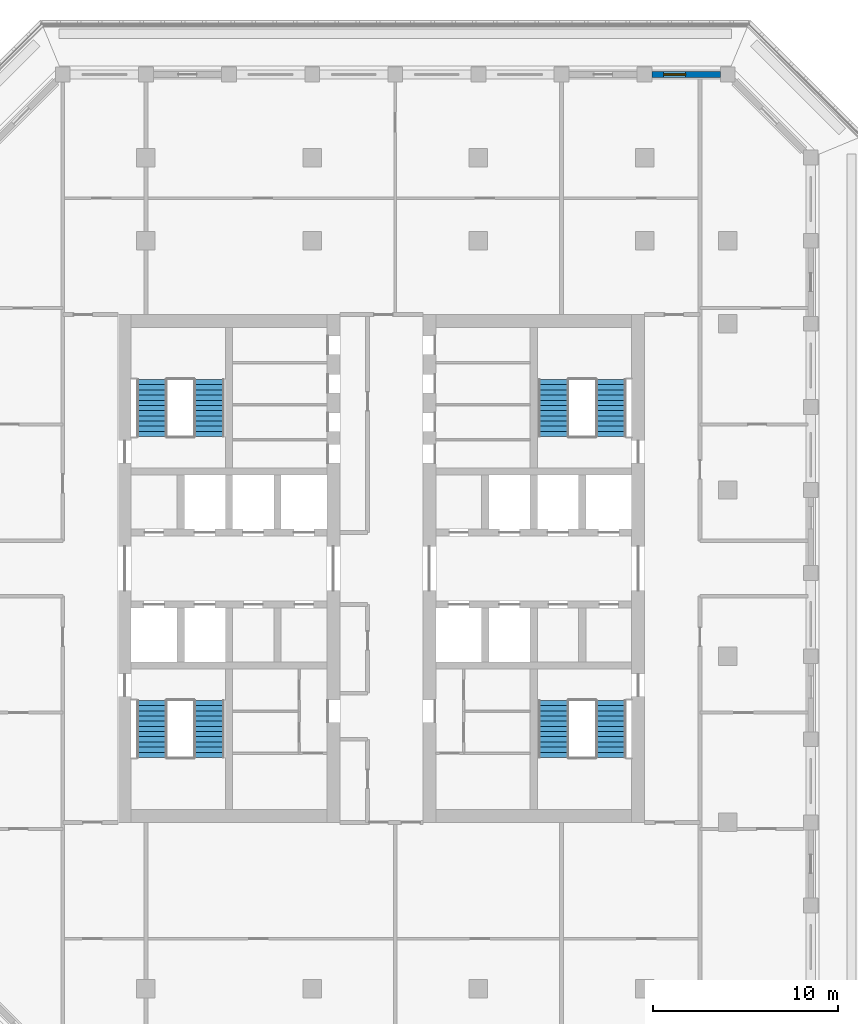
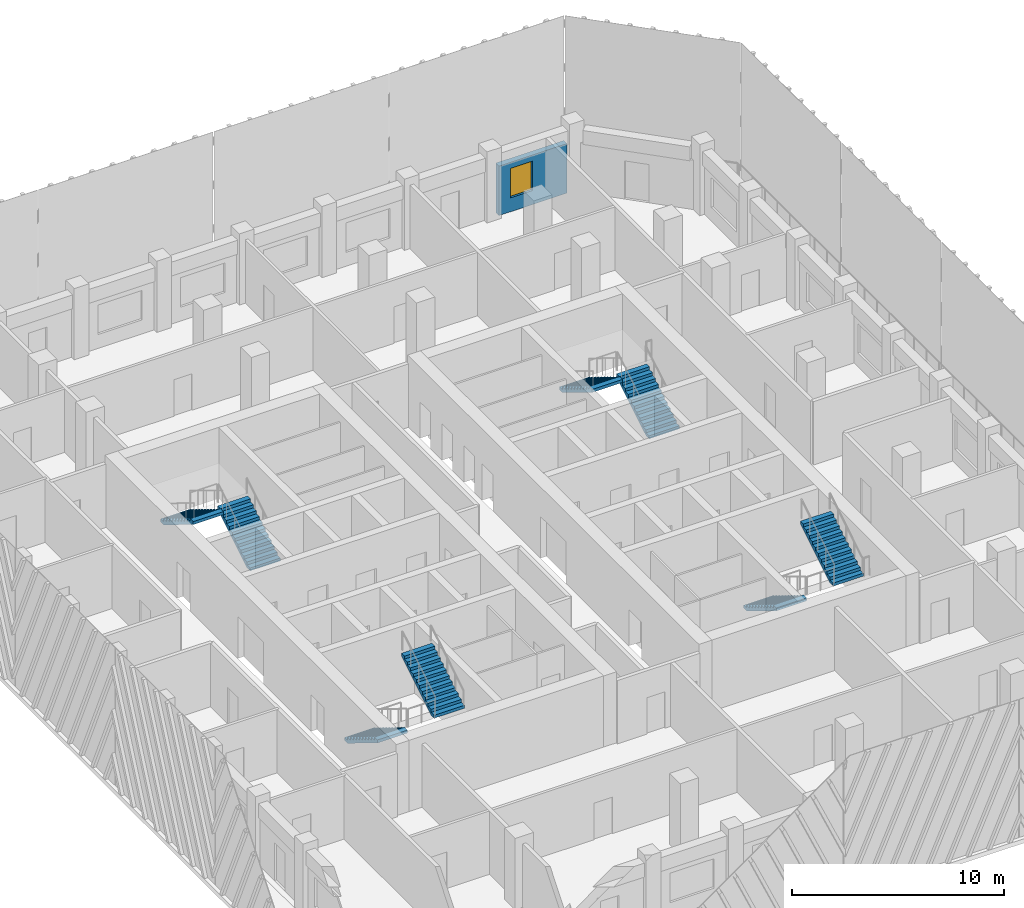
# One storey, part 8 of 17: 8 stair flights, 1 wall, 1 window, 1 opening, 4 elements without a shape of their own.
"""IFC4 building model written with IfcOpenShell, lengths in metres."""

from ifc_helpers import new_model, si_unit, direction, frame, frame_2d, origin, place, context, subcontext, project, spatial, polyline, rectangle, outline, extrude, material, layer, layer_set, type_object, element, fill, aggregate, save


model = new_model("IFC4")

# Units and contexts
model_context = context("Model", 3, precision=1e-05, world=origin(), true_north=direction((0.0, 1.0)))
body_context = subcontext(model_context, "Body", "Model", "MODEL_VIEW")
ifc_project = project(units=[si_unit("LENGTHUNIT", "METRE"), si_unit("AREAUNIT", "SQUARE_METRE"), si_unit("VOLUMEUNIT", "CUBIC_METRE"), si_unit("PLANEANGLEUNIT", "RADIAN"), si_unit("MASSUNIT", "GRAM", prefix="KILO")], contexts=[model_context])

# Site, building, storey
site_placement = place(None, origin())
site = spatial("IfcSite", under=ifc_project, at=site_placement, CompositionType="ELEMENT")
building_placement = place(site_placement, origin())
building = spatial("IfcBuilding", under=site, at=building_placement, Name="Corbel Stack Research Tower", CompositionType="ELEMENT")
storey_placement = place(building_placement, frame((0.0, 0.0, 239.800048828125)))
storey = spatial("IfcBuildingStorey", under=building, at=storey_placement, Name="L54", CompositionType="ELEMENT", Elevation=239.800048828125)

# Wall, opening, window
ifc_material_1 = material(Name="Concrete C45/55", Category="concrete")
ifc_layer = layer(ifc_material_1, 0.300048828125)
ifc_layer_set = layer_set([ifc_layer], Name="Concrete C45/55")
wall_type = type_object("IfcWallType", Name="Terracotta-faced concrete wall 300", PredefinedType="SOLIDWALL", material=ifc_layer_set)
wall_placement = place(storey_placement, frame((18.39990234375, 31.5, 0.0), z_axis=(0.0, 0.0, 1.0), x_axis=(1.0, 0.0, 0.0)))
wall = element("IfcWall", 1, at=wall_placement, inside=storey, type_object=wall_type, Name="Facade wall L54 N01", PredefinedType="SOLIDWALL", context=body_context, shape_type="SweptSolid", body=[
    extrude(rectangle(XDim=3.7001953125, YDim=0.300048828125, at=frame_2d((1.85009765625, 0.0))), origin(), (0.0, 0.0, 1.0), 2.849853515625),
])
opening_placement = place(wall_placement, frame((0.625, 0.0, 0.800048828125)))
opening = element("IfcOpeningElement", 2, at=opening_placement, cuts=wall, Name="Opening W2", PredefinedType="OPENING", context=body_context, shape_type="SweptSolid", body=[
    extrude(rectangle(XDim=1.199951171875, YDim=1.699951171875, at=frame_2d((0.60009765625, 0.85009765625))), frame((0.0, 0.159912109375, 0.0), z_axis=(0.0, -1.0, 0.0), x_axis=(1.0, 0.0, 0.0)), (0.0, 0.0, 1.0), 0.320068359375),
])
ifc_material_2 = material(Name="Aluminium frame, clear double glazing", Category="aluminium")
window_type = type_object("IfcWindowType", Name="Window W2 1200 x 1700", PartitioningType="SINGLE_PANEL", PredefinedType="WINDOW", material=ifc_material_2)
window_placement = place(opening_placement, origin())
window = element("IfcWindow", 3, at=window_placement, inside=storey, type_object=window_type, Name="Window W2 L54 N01", OverallHeight=1.699951171875, OverallWidth=1.199951171875, PartitioningType="SINGLE_PANEL", PredefinedType="WINDOW", context=body_context, shape_type="SweptSolid", body=[
    extrude(rectangle(XDim=1.199951171875, YDim=1.699951171875, at=frame_2d((0.60009765625, 0.85009765625))), frame((0.0, 0.030029296875, 0.0), z_axis=(0.0, -1.0, 0.0), x_axis=(1.0, 0.0, 0.0)), (0.0, 0.0, 1.0), 0.06005859375),
])
fill(opening, window)

# Stair, stair flights
ifc_material_3 = material(Name="Concrete C40/50", Category="concrete")
stair_type = type_object("IfcStairType", Name="Exit stair 24 risers", PredefinedType="HALF_TURN_STAIR", material=ifc_material_3)
stair_1_placement = place(storey_placement, origin())
stair_1 = element("IfcStair", 4, at=stair_1_placement, inside=storey, type_object=stair_type, Name="L54 Exit stair ST-W1", PredefinedType="HALF_TURN_STAIR")
ifc_material_4 = material(Name="Concrete C40/50", Category="concrete")
stair_flight_type = type_object("IfcStairFlightType", Name="Stair flight 12 risers", PredefinedType="STRAIGHT", material=ifc_material_4)
stair_flight_1_placement = place(storey_placement, frame((-8.675048828125, -2.39990234375, 0.0), z_axis=(0.0, 0.0, 1.0), x_axis=(0.0, -1.0, 0.0)))
stair_flight_1 = element("IfcStairFlight", 5, at=stair_flight_1_placement, type_object=stair_flight_type, Name="ST-W1 flight 1", NumberOfRisers=12, NumberOfTreads=11, PredefinedType="STRAIGHT", RiserHeight=0.170833333, TreadLength=0.28, context=body_context, shape_type="SweptSolid", body=[
    extrude(outline(polyline([(0.0, 0.0), (0.0, 0.1708984375), (0.280029296875, 0.1708984375), (0.280029296875, 0.341552734375), (0.56005859375, 0.341552734375), (0.56005859375, 0.512451171875), (0.840087890625, 0.512451171875), (0.840087890625, 0.683349609375), (1.1201171875, 0.683349609375), (1.1201171875, 0.854248046875), (1.39990234375, 0.854248046875), (1.39990234375, 1.02490234375), (1.679931640625, 1.02490234375), (1.679931640625, 1.19580078125), (1.9599609375, 1.19580078125), (1.9599609375, 1.36669921875), (2.239990234375, 1.36669921875), (2.239990234375, 1.53759765625), (2.52001953125, 1.53759765625), (2.52001953125, 1.708251953125), (2.800048828125, 1.708251953125), (2.800048828125, 1.879150390625), (3.080078125, 1.879150390625), (3.080078125, 2.050048828125), (3.080078125, 1.70361328125), (0.287841796875, 0.0), (0.0, 0.0)])), frame((0.0, 0.824951171875, 0.0), z_axis=(0.0, -1.0, 0.0), x_axis=(1.0, 0.0, 0.0)), (0.0, 0.0, 1.0), 1.64990234375),
])
stair_flight_2_placement = place(storey_placement, frame((-5.574951171875, -5.47998046875, 2.050048828125), z_axis=(0.0, 0.0, 1.0), x_axis=(0.0, 1.0, 0.0)))
stair_flight_2 = element("IfcStairFlight", 6, at=stair_flight_2_placement, type_object=stair_flight_type, Name="ST-W1 flight 2", NumberOfRisers=12, NumberOfTreads=11, PredefinedType="STRAIGHT", RiserHeight=0.170833333, TreadLength=0.28, context=body_context, shape_type="SweptSolid", body=[
    extrude(outline(polyline([(0.0, 0.0), (0.0, 0.1708984375), (0.280029296875, 0.1708984375), (0.280029296875, 0.341552734375), (0.56005859375, 0.341552734375), (0.56005859375, 0.512451171875), (0.840087890625, 0.512451171875), (0.840087890625, 0.683349609375), (1.1201171875, 0.683349609375), (1.1201171875, 0.854248046875), (1.39990234375, 0.854248046875), (1.39990234375, 1.02490234375), (1.679931640625, 1.02490234375), (1.679931640625, 1.19580078125), (1.9599609375, 1.19580078125), (1.9599609375, 1.36669921875), (2.239990234375, 1.36669921875), (2.239990234375, 1.53759765625), (2.52001953125, 1.53759765625), (2.52001953125, 1.708251953125), (2.800048828125, 1.708251953125), (2.800048828125, 1.879150390625), (3.080078125, 1.879150390625), (3.080078125, 2.050048828125), (3.080078125, 1.70361328125), (0.287841796875, 0.0), (0.0, 0.0)])), frame((0.0, 0.824951171875, 0.0), z_axis=(0.0, -1.0, 0.0), x_axis=(1.0, 0.0, 0.0)), (0.0, 0.0, 1.0), 1.64990234375),
])
aggregate(stair_1, [stair_flight_1, stair_flight_2])

stair_2_placement = place(storey_placement, origin())
stair_2 = element("IfcStair", 7, at=stair_2_placement, inside=storey, type_object=stair_type, Name="L54 Exit stair ST-W2", PredefinedType="HALF_TURN_STAIR")
stair_flight_3_placement = place(storey_placement, frame((-5.574951171875, 11.89990234375, 0.0), z_axis=(0.0, 0.0, 1.0), x_axis=(0.0, 1.0, 0.0)))
stair_flight_3 = element("IfcStairFlight", 8, at=stair_flight_3_placement, type_object=stair_flight_type, Name="ST-W2 flight 1", NumberOfRisers=12, NumberOfTreads=11, PredefinedType="STRAIGHT", RiserHeight=0.170833333, TreadLength=0.28, context=body_context, shape_type="SweptSolid", body=[
    extrude(outline(polyline([(0.0, 0.0), (0.0, 0.1708984375), (0.280029296875, 0.1708984375), (0.280029296875, 0.341552734375), (0.56005859375, 0.341552734375), (0.56005859375, 0.512451171875), (0.840087890625, 0.512451171875), (0.840087890625, 0.683349609375), (1.1201171875, 0.683349609375), (1.1201171875, 0.854248046875), (1.39990234375, 0.854248046875), (1.39990234375, 1.02490234375), (1.679931640625, 1.02490234375), (1.679931640625, 1.19580078125), (1.9599609375, 1.19580078125), (1.9599609375, 1.36669921875), (2.239990234375, 1.36669921875), (2.239990234375, 1.53759765625), (2.52001953125, 1.53759765625), (2.52001953125, 1.708251953125), (2.800048828125, 1.708251953125), (2.800048828125, 1.879150390625), (3.080078125, 1.879150390625), (3.080078125, 2.050048828125), (3.080078125, 1.70361328125), (0.287841796875, 0.0), (0.0, 0.0)])), frame((0.0, 0.824951171875, 0.0), z_axis=(0.0, -1.0, 0.0), x_axis=(1.0, 0.0, 0.0)), (0.0, 0.0, 1.0), 1.64990234375),
])
stair_flight_4_placement = place(storey_placement, frame((-8.675048828125, 14.97998046875, 2.050048828125), z_axis=(0.0, 0.0, 1.0), x_axis=(0.0, -1.0, 0.0)))
stair_flight_4 = element("IfcStairFlight", 9, at=stair_flight_4_placement, type_object=stair_flight_type, Name="ST-W2 flight 2", NumberOfRisers=12, NumberOfTreads=11, PredefinedType="STRAIGHT", RiserHeight=0.170833333, TreadLength=0.28, context=body_context, shape_type="SweptSolid", body=[
    extrude(outline(polyline([(0.0, 0.0), (0.0, 0.1708984375), (0.280029296875, 0.1708984375), (0.280029296875, 0.341552734375), (0.56005859375, 0.341552734375), (0.56005859375, 0.512451171875), (0.840087890625, 0.512451171875), (0.840087890625, 0.683349609375), (1.1201171875, 0.683349609375), (1.1201171875, 0.854248046875), (1.39990234375, 0.854248046875), (1.39990234375, 1.02490234375), (1.679931640625, 1.02490234375), (1.679931640625, 1.19580078125), (1.9599609375, 1.19580078125), (1.9599609375, 1.36669921875), (2.239990234375, 1.36669921875), (2.239990234375, 1.53759765625), (2.52001953125, 1.53759765625), (2.52001953125, 1.708251953125), (2.800048828125, 1.708251953125), (2.800048828125, 1.879150390625), (3.080078125, 1.879150390625), (3.080078125, 2.050048828125), (3.080078125, 1.70361328125), (0.287841796875, 0.0), (0.0, 0.0)])), frame((0.0, 0.824951171875, 0.0), z_axis=(0.0, -1.0, 0.0), x_axis=(1.0, 0.0, 0.0)), (0.0, 0.0, 1.0), 1.64990234375),
])
aggregate(stair_2, [stair_flight_3, stair_flight_4])

stair_3_placement = place(storey_placement, origin())
stair_3 = element("IfcStair", 10, at=stair_3_placement, inside=storey, type_object=stair_type, Name="L54 Exit stair ST-E1", PredefinedType="HALF_TURN_STAIR")
stair_flight_5_placement = place(storey_placement, frame((13.074951171875, -2.39990234375, 0.0), z_axis=(0.0, 0.0, 1.0), x_axis=(0.0, -1.0, 0.0)))
stair_flight_5 = element("IfcStairFlight", 11, at=stair_flight_5_placement, type_object=stair_flight_type, Name="ST-E1 flight 1", NumberOfRisers=12, NumberOfTreads=11, PredefinedType="STRAIGHT", RiserHeight=0.170833333, TreadLength=0.28, context=body_context, shape_type="SweptSolid", body=[
    extrude(outline(polyline([(0.0, 0.0), (0.0, 0.1708984375), (0.280029296875, 0.1708984375), (0.280029296875, 0.341552734375), (0.56005859375, 0.341552734375), (0.56005859375, 0.512451171875), (0.840087890625, 0.512451171875), (0.840087890625, 0.683349609375), (1.1201171875, 0.683349609375), (1.1201171875, 0.854248046875), (1.39990234375, 0.854248046875), (1.39990234375, 1.02490234375), (1.679931640625, 1.02490234375), (1.679931640625, 1.19580078125), (1.9599609375, 1.19580078125), (1.9599609375, 1.36669921875), (2.239990234375, 1.36669921875), (2.239990234375, 1.53759765625), (2.52001953125, 1.53759765625), (2.52001953125, 1.708251953125), (2.800048828125, 1.708251953125), (2.800048828125, 1.879150390625), (3.080078125, 1.879150390625), (3.080078125, 2.050048828125), (3.080078125, 1.70361328125), (0.287841796875, 0.0), (0.0, 0.0)])), frame((0.0, 0.824951171875, 0.0), z_axis=(0.0, -1.0, 0.0), x_axis=(1.0, 0.0, 0.0)), (0.0, 0.0, 1.0), 1.64990234375),
])
stair_flight_6_placement = place(storey_placement, frame((16.175048828125, -5.47998046875, 2.050048828125), z_axis=(0.0, 0.0, 1.0), x_axis=(0.0, 1.0, 0.0)))
stair_flight_6 = element("IfcStairFlight", 12, at=stair_flight_6_placement, type_object=stair_flight_type, Name="ST-E1 flight 2", NumberOfRisers=12, NumberOfTreads=11, PredefinedType="STRAIGHT", RiserHeight=0.170833333, TreadLength=0.28, context=body_context, shape_type="SweptSolid", body=[
    extrude(outline(polyline([(0.0, 0.0), (0.0, 0.1708984375), (0.280029296875, 0.1708984375), (0.280029296875, 0.341552734375), (0.56005859375, 0.341552734375), (0.56005859375, 0.512451171875), (0.840087890625, 0.512451171875), (0.840087890625, 0.683349609375), (1.1201171875, 0.683349609375), (1.1201171875, 0.854248046875), (1.39990234375, 0.854248046875), (1.39990234375, 1.02490234375), (1.679931640625, 1.02490234375), (1.679931640625, 1.19580078125), (1.9599609375, 1.19580078125), (1.9599609375, 1.36669921875), (2.239990234375, 1.36669921875), (2.239990234375, 1.53759765625), (2.52001953125, 1.53759765625), (2.52001953125, 1.708251953125), (2.800048828125, 1.708251953125), (2.800048828125, 1.879150390625), (3.080078125, 1.879150390625), (3.080078125, 2.050048828125), (3.080078125, 1.70361328125), (0.287841796875, 0.0), (0.0, 0.0)])), frame((0.0, 0.824951171875, 0.0), z_axis=(0.0, -1.0, 0.0), x_axis=(1.0, 0.0, 0.0)), (0.0, 0.0, 1.0), 1.64990234375),
])
aggregate(stair_3, [stair_flight_5, stair_flight_6])

stair_4_placement = place(storey_placement, origin())
stair_4 = element("IfcStair", 13, at=stair_4_placement, inside=storey, type_object=stair_type, Name="L54 Exit stair ST-E2", PredefinedType="HALF_TURN_STAIR")
stair_flight_7_placement = place(storey_placement, frame((16.175048828125, 11.89990234375, 0.0), z_axis=(0.0, 0.0, 1.0), x_axis=(0.0, 1.0, 0.0)))
stair_flight_7 = element("IfcStairFlight", 14, at=stair_flight_7_placement, type_object=stair_flight_type, Name="ST-E2 flight 1", NumberOfRisers=12, NumberOfTreads=11, PredefinedType="STRAIGHT", RiserHeight=0.170833333, TreadLength=0.28, context=body_context, shape_type="SweptSolid", body=[
    extrude(outline(polyline([(0.0, 0.0), (0.0, 0.1708984375), (0.280029296875, 0.1708984375), (0.280029296875, 0.341552734375), (0.56005859375, 0.341552734375), (0.56005859375, 0.512451171875), (0.840087890625, 0.512451171875), (0.840087890625, 0.683349609375), (1.1201171875, 0.683349609375), (1.1201171875, 0.854248046875), (1.39990234375, 0.854248046875), (1.39990234375, 1.02490234375), (1.679931640625, 1.02490234375), (1.679931640625, 1.19580078125), (1.9599609375, 1.19580078125), (1.9599609375, 1.36669921875), (2.239990234375, 1.36669921875), (2.239990234375, 1.53759765625), (2.52001953125, 1.53759765625), (2.52001953125, 1.708251953125), (2.800048828125, 1.708251953125), (2.800048828125, 1.879150390625), (3.080078125, 1.879150390625), (3.080078125, 2.050048828125), (3.080078125, 1.70361328125), (0.287841796875, 0.0), (0.0, 0.0)])), frame((0.0, 0.824951171875, 0.0), z_axis=(0.0, -1.0, 0.0), x_axis=(1.0, 0.0, 0.0)), (0.0, 0.0, 1.0), 1.64990234375),
])
stair_flight_8_placement = place(storey_placement, frame((13.074951171875, 14.97998046875, 2.050048828125), z_axis=(0.0, 0.0, 1.0), x_axis=(0.0, -1.0, 0.0)))
stair_flight_8 = element("IfcStairFlight", 15, at=stair_flight_8_placement, type_object=stair_flight_type, Name="ST-E2 flight 2", NumberOfRisers=12, NumberOfTreads=11, PredefinedType="STRAIGHT", RiserHeight=0.170833333, TreadLength=0.28, context=body_context, shape_type="SweptSolid", body=[
    extrude(outline(polyline([(0.0, 0.0), (0.0, 0.1708984375), (0.280029296875, 0.1708984375), (0.280029296875, 0.341552734375), (0.56005859375, 0.341552734375), (0.56005859375, 0.512451171875), (0.840087890625, 0.512451171875), (0.840087890625, 0.683349609375), (1.1201171875, 0.683349609375), (1.1201171875, 0.854248046875), (1.39990234375, 0.854248046875), (1.39990234375, 1.02490234375), (1.679931640625, 1.02490234375), (1.679931640625, 1.19580078125), (1.9599609375, 1.19580078125), (1.9599609375, 1.36669921875), (2.239990234375, 1.36669921875), (2.239990234375, 1.53759765625), (2.52001953125, 1.53759765625), (2.52001953125, 1.708251953125), (2.800048828125, 1.708251953125), (2.800048828125, 1.879150390625), (3.080078125, 1.879150390625), (3.080078125, 2.050048828125), (3.080078125, 1.70361328125), (0.287841796875, 0.0), (0.0, 0.0)])), frame((0.0, 0.824951171875, 0.0), z_axis=(0.0, -1.0, 0.0), x_axis=(1.0, 0.0, 0.0)), (0.0, 0.0, 1.0), 1.64990234375),
])
aggregate(stair_4, [stair_flight_7, stair_flight_8])

save(model, "model.ifc")
